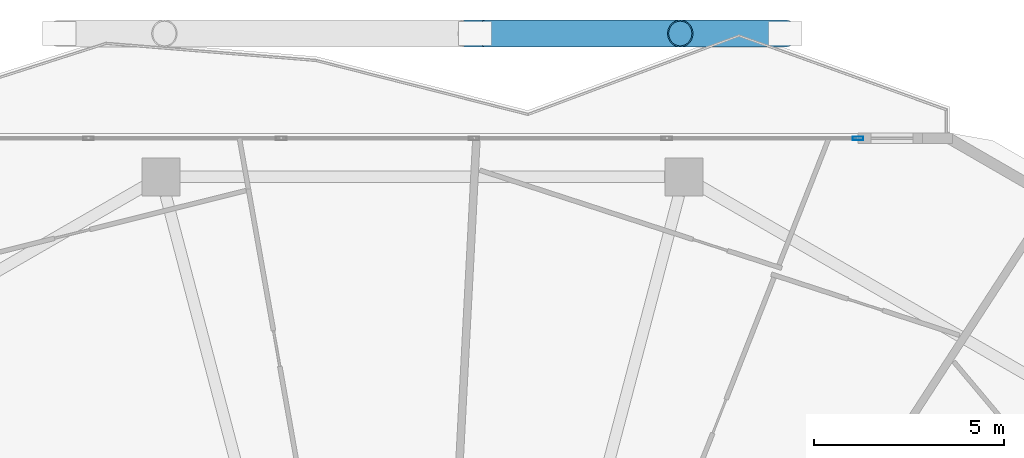
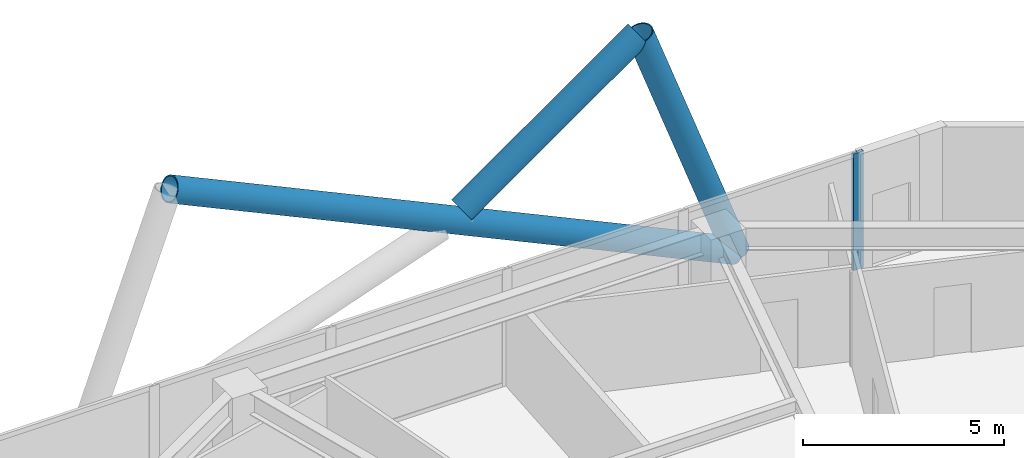
# One storey, part 18 of 29: 4 members, 1 element without a shape of its own.
"""IFC4 building model written with IfcOpenShell, lengths in metres."""

from ifc_helpers import new_model, si_unit, direction, frame, origin, origin_2d, place, context, subcontext, project, spatial, hollow_rectangle, hollow_circle, extrude, material, material_profile, profile_set, type_object, element, aggregate, save


model = new_model("IFC4")

# Units and contexts
model_context = context("Model", 3, precision=1e-05, world=origin(), true_north=direction((0.0, 1.0)))
body_context = subcontext(model_context, "Body", "Model", "MODEL_VIEW")
ifc_project = project(units=[si_unit("LENGTHUNIT", "METRE"), si_unit("AREAUNIT", "SQUARE_METRE"), si_unit("VOLUMEUNIT", "CUBIC_METRE"), si_unit("PLANEANGLEUNIT", "RADIAN"), si_unit("MASSUNIT", "GRAM", prefix="KILO")], contexts=[model_context])

# Site, building, storey
site_placement = place(None, origin())
site = spatial("IfcSite", under=ifc_project, at=site_placement, CompositionType="ELEMENT")
building_placement = place(site_placement, origin())
building = spatial("IfcBuilding", under=site, at=building_placement, Name="Zuhravey Tower", CompositionType="ELEMENT")
storey_placement = place(building_placement, frame((0.0, 0.0, 161.800048828125)))
storey = spatial("IfcBuildingStorey", under=building, at=storey_placement, Name="L40", CompositionType="ELEMENT", Elevation=161.800048828125)

# Curtain wall, member
ifc_material_1 = material(Name="Thermally broken anodised aluminium", Category="aluminium")
curtain_wall_type = type_object("IfcCurtainWallType", Name="Zone 1-2 Residential Curtain Wall CW3", PredefinedType="NOTDEFINED", material=ifc_material_1)
curtain_wall_placement = place(storey_placement, origin())
curtain_wall = element("IfcCurtainWall", 1, at=curtain_wall_placement, inside=storey, type_object=curtain_wall_type, Name="L40 CW3 CW-L40-F2-1", PredefinedType="NOTDEFINED")
ifc_material_2 = material(Name="Anodised aluminium", Category="aluminium")
ifc_material_profile_1 = material_profile(ifc_material_2, hollow_rectangle(XDim=0.090087890625, YDim=0.284912109375, WallThickness=0.0048828125, at=origin_2d()), Name="ALU-RHS-90x285x5")
ifc_profile_set_1 = profile_set([ifc_material_profile_1], Name="Anodised aluminium")
member_type_1 = type_object("IfcMemberType", Name="Curtain-Wall Mullion 90x180", PredefinedType="MULLION", material=ifc_profile_set_1)
member_1_placement = place(storey_placement, frame((47.466064453125, 59.18310546875, 0.0), z_axis=(0.0, 0.0, 1.0), x_axis=(0.0, 1.0, 0.0)))
member_1 = element("IfcMember", 2, at=member_1_placement, type_object=member_type_1, Name="CW3 mullion 6", PredefinedType="MULLION", context=body_context, shape_type="SweptSolid", body=[
    extrude(hollow_rectangle(XDim=0.090087890625, YDim=0.284912109375, WallThickness=0.0048828125, at=origin_2d()), origin(), (0.0, 0.0, 1.0), 3.550048828125),
])
aggregate(curtain_wall, [member_1])

# Members
ifc_material_3 = material(Name="Steel SM460", Category="steel")
ifc_material_profile_2 = material_profile(ifc_material_3, hollow_circle(Radius=0.355712890625, WallThickness=0.031982421875, at=origin_2d()), Name="CHS-711.2x32")
ifc_profile_set_2 = profile_set([ifc_material_profile_2], Name="Steel SM460")
member_type_2 = type_object("IfcMemberType", Name="Exoskeleton Zone 2 Diagrid CHS711x32", PredefinedType="BRACE", material=ifc_profile_set_2)
member_2_placement = place(storey_placement, frame((45.547607421875, 61.943115234375, -0.444091796875), z_axis=(-0.342858392965, 0.0, 0.939387099323), x_axis=(0.0, -1.0, 0.0)))
element("IfcMember", 3, at=member_2_placement, inside=storey, type_object=member_type_2, Name="L40 Face 2 Diagrid Brace 1", PredefinedType="BRACE", context=body_context, shape_type="SweptSolid", body=[
    extrude(hollow_circle(Radius=0.355712890625, WallThickness=0.031982421875, at=origin_2d()), origin(), (0.0, 0.0, 1.0), 8.0478515625),
])
member_3_placement = place(storey_placement, frame((45.511962890625, 61.943115234375, -0.444091796875), z_axis=(-0.906680162882, 0.0, 0.421818778903), x_axis=(0.0, -1.0, 0.0)))
element("IfcMember", 4, at=member_3_placement, inside=storey, type_object=member_type_2, Name="L40 Face 2 Diagrid Brace 2", PredefinedType="BRACE", context=body_context, shape_type="SweptSolid", body=[
    extrude(hollow_circle(Radius=0.355712890625, WallThickness=0.031982421875, at=origin_2d()), origin(), (0.0, 0.0, 1.0), 17.922607421875),
])
member_4_placement = place(storey_placement, frame((37.66943359375, 61.943115234375, 3.534912109375), z_axis=(0.817501799386, 0.0, 0.575926043864), x_axis=(0.0, 1.0, 0.0)))
element("IfcMember", 5, at=member_4_placement, inside=storey, type_object=member_type_2, Name="L40 Face 2 Split Diagrid Brace 3B", PredefinedType="BRACE", context=body_context, shape_type="SweptSolid", body=[
    extrude(hollow_circle(Radius=0.355712890625, WallThickness=0.031982421875, at=origin_2d()), origin(), (0.0, 0.0, 1.0), 6.205078125),
])

save(model, "model.ifc")
